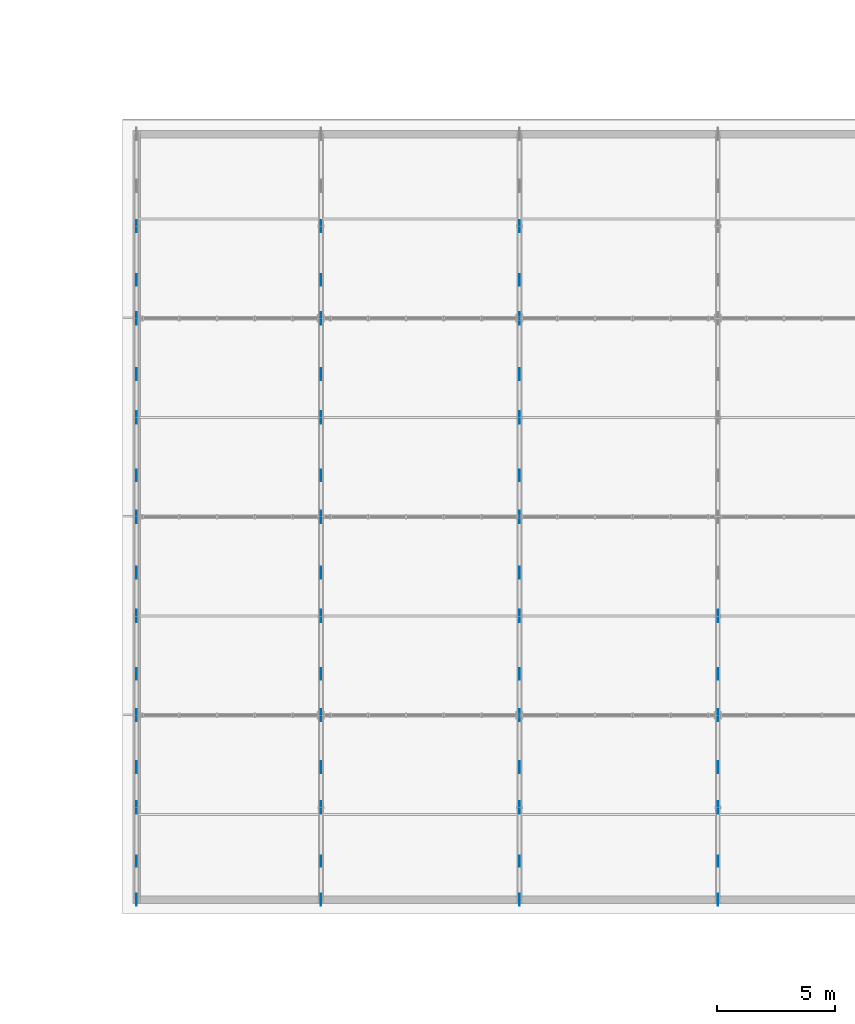
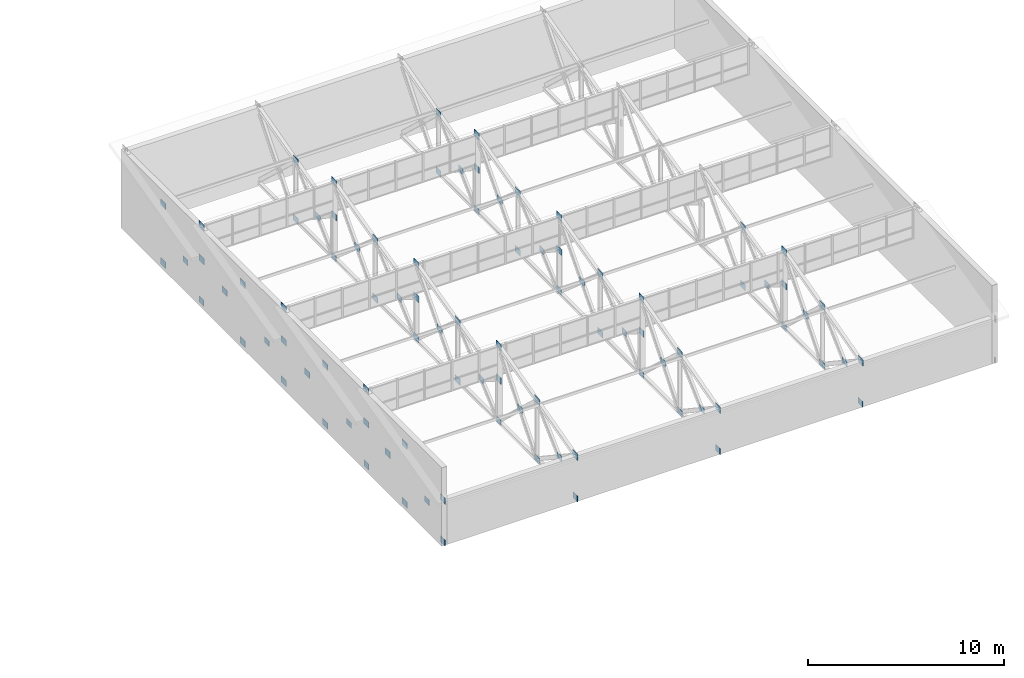
# One storey, part 97 of 123: 90 plates.
"""IFC4 building model written with IfcOpenShell, lengths in metres."""

from ifc_helpers import new_model, si_unit, direction, frame, origin, origin_2d, place, context, subcontext, project, spatial, rectangle, extrude, material, layer, layer_set, type_object, element, save


model = new_model("IFC4")

# Units and contexts
model_context = context("Model", 3, precision=1e-05, world=origin(), true_north=direction((0.0, 1.0)))
body_context = subcontext(model_context, "Body", "Model", "MODEL_VIEW")
ifc_project = project(units=[si_unit("LENGTHUNIT", "METRE"), si_unit("AREAUNIT", "SQUARE_METRE"), si_unit("VOLUMEUNIT", "CUBIC_METRE"), si_unit("PLANEANGLEUNIT", "RADIAN"), si_unit("MASSUNIT", "GRAM", prefix="KILO")], contexts=[model_context])

# Site, building, storey
site_placement = place(None, origin())
site = spatial("IfcSite", under=ifc_project, at=site_placement, CompositionType="ELEMENT")
building_placement = place(site_placement, origin())
building = spatial("IfcBuilding", under=site, at=building_placement, Name="Zayran Congress Hotel", CompositionType="ELEMENT")
storey_placement = place(building_placement, frame((0.0, 0.0, 15.0)))
storey = spatial("IfcBuildingStorey", under=building, at=storey_placement, Name="L03", CompositionType="ELEMENT", Elevation=15.0)

# Plates
ifc_material = material(Name="Steel S355", Category="steel")
ifc_layer_1 = layer(ifc_material, 0.02001953125)
ifc_layer_set_1 = layer_set([ifc_layer_1], Name="Steel S355")
plate_type_1 = type_object("IfcPlateType", Name="TP-GS-02", PredefinedType="USERDEFINED", material=ifc_layer_set_1)
for number, where, z_axis, x_axis, name in (
    (1, (151.800048828125, 9.39990234375, -0.18017578125), (0.0, 0.0, 1.0), (0.0, 1.0, 0.0), "V3 Truss Node Gusset Plate 167"),
    (2, (151.800048828125, 17.199951171875, -0.18017578125), (0.0, 0.0, 1.0), (0.0, 1.0, 0.0), "V3 Truss Node Gusset Plate 168"),
    (3, (151.800048828125, 34.0, -0.18017578125), (0.0, 0.0, 1.0), (0.0, 1.0, 0.0), "V3 Truss Node Gusset Plate 169"),
    (4, (151.800048828125, 11.023193359375, 1.337890625), (0.0, 0.0, 1.0), (0.0, 1.0, 0.0), "V3 Brace Crossing Gusset Plate 175"),
    (5, (151.800048828125, 18.947998046875, 1.337890625), (0.0, 0.0, 1.0), (0.0, 1.0, 0.0), "V3 Brace Crossing Gusset Plate 181"),
    (6, (151.800048828125, 27.347900390625, 1.337890625), (0.0, 0.0, 1.0), (0.0, 1.0, 0.0), "V3 Brace Crossing Gusset Plate 187"),
    (7, (151.800048828125, 35.623046875, 1.337890625), (0.0, 0.0, 1.0), (0.0, 1.0, 0.0), "V3 Brace Crossing Gusset Plate 193"),
    (8, (159.60009765625, 9.39990234375, -0.18017578125), (0.0, 0.0, 1.0), (0.0, 1.0, 0.0), "V3 Truss Node Gusset Plate 195"),
    (9, (159.60009765625, 17.199951171875, -0.18017578125), (0.0, 0.0, 1.0), (0.0, 1.0, 0.0), "V3 Truss Node Gusset Plate 196"),
    (10, (159.60009765625, 34.0, -0.18017578125), (0.0, 0.0, 1.0), (0.0, 1.0, 0.0), "V3 Truss Node Gusset Plate 197"),
    (11, (159.60009765625, 11.023193359375, 1.337890625), (0.0, 0.0, 1.0), (0.0, 1.0, 0.0), "V3 Brace Crossing Gusset Plate 203"),
    (12, (159.60009765625, 18.947998046875, 1.337890625), (0.0, 0.0, 1.0), (0.0, 1.0, 0.0), "V3 Brace Crossing Gusset Plate 209"),
    (13, (159.60009765625, 27.347900390625, 1.337890625), (0.0, 0.0, 1.0), (0.0, 1.0, 0.0), "V3 Brace Crossing Gusset Plate 215"),
    (14, (159.60009765625, 35.623046875, 1.337890625), (0.0, 0.0, 1.0), (0.0, 1.0, 0.0), "V3 Brace Crossing Gusset Plate 221"),
    (15, (168.0, 9.39990234375, -0.18017578125), (0.0, 0.0, 1.0), (0.0, 1.0, 0.0), "V3 Truss Node Gusset Plate 223"),
    (16, (168.0, 17.199951171875, -0.18017578125), (0.0, 0.0, 1.0), (0.0, 1.0, 0.0), "V3 Truss Node Gusset Plate 224"),
    (17, (168.0, 34.0, -0.18017578125), (0.0, 0.0, 1.0), (0.0, 1.0, 0.0), "V3 Truss Node Gusset Plate 225"),
    (18, (168.0, 11.023193359375, 1.337890625), (0.0, 0.0, 1.0), (0.0, 1.0, 0.0), "V3 Brace Crossing Gusset Plate 231"),
    (19, (168.0, 18.947998046875, 1.337890625), (0.0, 0.0, 1.0), (0.0, 1.0, 0.0), "V3 Brace Crossing Gusset Plate 237"),
    (20, (168.0, 27.347900390625, 1.337890625), (0.0, 0.0, 1.0), (0.0, 1.0, 0.0), "V3 Brace Crossing Gusset Plate 243"),
    (21, (168.0, 35.623046875, 1.337890625), (0.0, 0.0, 1.0), (0.0, 1.0, 0.0), "V3 Brace Crossing Gusset Plate 249"),
    (22, (168.0, 25.60009765625, -0.080078125), (0.0, 0.0, 1.0), (0.0, 1.0, 0.0), "PLT-GS-V3-168"),
    (23, (176.39990234375, 9.39990234375, -0.18017578125), (0.0, 0.0, 1.0), (0.0, 1.0, 0.0), "V3 Truss Node Gusset Plate 251"),
    (24, (176.39990234375, 17.199951171875, -0.18017578125), (0.0, 0.0, 1.0), (0.0, 1.0, 0.0), "V3 Truss Node Gusset Plate 252"),
    (25, (176.39990234375, 11.023193359375, 1.337890625), (0.0, 0.0, 1.0), (0.0, 1.0, 0.0), "V3 Brace Crossing Gusset Plate 259"),
    (26, (176.39990234375, 18.947998046875, 1.337890625), (0.0, 0.0, 1.0), (0.0, 1.0, 0.0), "V3 Brace Crossing Gusset Plate 265"),
):
    element("IfcPlate", number, at=place(storey_placement, frame(where, z_axis=z_axis, x_axis=x_axis)), inside=storey, type_object=plate_type_1, Name=name, ObjectType="GUSSET_PLATE", PredefinedType="USERDEFINED", context=body_context, shape_type="SweptSolid", body=[
        extrude(rectangle(XDim=0.47998046875, YDim=0.02001953125, at=origin_2d()), origin(), (0.0, 0.0, 1.0), 0.360107421875),
    ])
ifc_layer_2 = layer(ifc_material, 0.02197265625)
ifc_layer_set_2 = layer_set([ifc_layer_2], Name="Steel S355")
plate_type_2 = type_object("IfcPlateType", Name="TP-GS-04", PredefinedType="USERDEFINED", material=ifc_layer_set_2)
for number, where, z_axis, x_axis, name in (
    (27, (151.800048828125, 9.39990234375, 2.41015625), (0.0, 0.0, 1.0), (0.0, 1.0, 0.0), "V3 Truss Node Gusset Plate 171"),
    (28, (151.800048828125, 13.300048828125, -0.18994140625), (0.0, 0.0, 1.0), (0.0, 1.0, 0.0), "V3 Truss Node Gusset Plate 172"),
    (29, (151.800048828125, 13.300048828125, 3.457275390625), (0.0, 0.0, 1.0), (0.0, 1.0, 0.0), "V3 Truss Node Gusset Plate 173"),
    (30, (151.800048828125, 17.199951171875, 4.50439453125), (0.0, 0.0, 1.0), (0.0, 1.0, 0.0), "V3 Truss Node Gusset Plate 174"),
    (31, (151.800048828125, 15.005126953125, 1.862548828125), (0.0, 0.0, 1.0), (0.0, 1.0, 0.0), "V3 Brace Crossing Gusset Plate 176"),
    (32, (151.800048828125, 17.199951171875, 2.41015625), (0.0, 0.0, 1.0), (0.0, 1.0, 0.0), "V3 Truss Node Gusset Plate 177"),
    (33, (151.800048828125, 21.39990234375, -0.18994140625), (0.0, 0.0, 1.0), (0.0, 1.0, 0.0), "V3 Truss Node Gusset Plate 178"),
    (34, (151.800048828125, 21.39990234375, 3.457275390625), (0.0, 0.0, 1.0), (0.0, 1.0, 0.0), "V3 Truss Node Gusset Plate 179"),
    (35, (151.800048828125, 25.60009765625, 4.50439453125), (0.0, 0.0, 1.0), (0.0, 1.0, 0.0), "V3 Truss Node Gusset Plate 180"),
    (36, (151.800048828125, 23.236328125, 1.862548828125), (0.0, 0.0, 1.0), (0.0, 1.0, 0.0), "V3 Brace Crossing Gusset Plate 182"),
    (37, (151.800048828125, 25.60009765625, 2.41015625), (0.0, 0.0, 1.0), (0.0, 1.0, 0.0), "V3 Truss Node Gusset Plate 183"),
    (38, (151.800048828125, 29.800048828125, -0.18994140625), (0.0, 0.0, 1.0), (0.0, 1.0, 0.0), "V3 Truss Node Gusset Plate 184"),
    (39, (151.800048828125, 29.800048828125, 3.457275390625), (0.0, 0.0, 1.0), (0.0, 1.0, 0.0), "V3 Truss Node Gusset Plate 185"),
    (40, (151.800048828125, 34.0, 4.50439453125), (0.0, 0.0, 1.0), (0.0, 1.0, 0.0), "V3 Truss Node Gusset Plate 186"),
    (41, (151.800048828125, 31.636474609375, 1.862548828125), (0.0, 0.0, 1.0), (0.0, 1.0, 0.0), "V3 Brace Crossing Gusset Plate 188"),
    (42, (151.800048828125, 34.0, 2.41015625), (0.0, 0.0, 1.0), (0.0, 1.0, 0.0), "V3 Truss Node Gusset Plate 189"),
    (43, (151.800048828125, 37.89990234375, -0.18994140625), (0.0, 0.0, 1.0), (0.0, 1.0, 0.0), "V3 Truss Node Gusset Plate 190"),
    (44, (151.800048828125, 37.89990234375, 3.457275390625), (0.0, 0.0, 1.0), (0.0, 1.0, 0.0), "V3 Truss Node Gusset Plate 191"),
    (45, (151.800048828125, 25.60009765625, -0.08984375), (0.0, 0.0, 1.0), (0.0, 1.0, 0.0), "PLT-GS-V3-151"),
    (46, (159.60009765625, 9.39990234375, 2.41015625), (0.0, 0.0, 1.0), (0.0, 1.0, 0.0), "V3 Truss Node Gusset Plate 199"),
    (47, (159.60009765625, 13.300048828125, -0.18994140625), (0.0, 0.0, 1.0), (0.0, 1.0, 0.0), "V3 Truss Node Gusset Plate 200"),
    (48, (159.60009765625, 13.300048828125, 3.457275390625), (0.0, 0.0, 1.0), (0.0, 1.0, 0.0), "V3 Truss Node Gusset Plate 201"),
    (49, (159.60009765625, 17.199951171875, 4.50439453125), (0.0, 0.0, 1.0), (0.0, 1.0, 0.0), "V3 Truss Node Gusset Plate 202"),
    (50, (159.60009765625, 15.005126953125, 1.862548828125), (0.0, 0.0, 1.0), (0.0, 1.0, 0.0), "V3 Brace Crossing Gusset Plate 204"),
    (51, (159.60009765625, 17.199951171875, 2.41015625), (0.0, 0.0, 1.0), (0.0, 1.0, 0.0), "V3 Truss Node Gusset Plate 205"),
    (52, (159.60009765625, 21.39990234375, -0.18994140625), (0.0, 0.0, 1.0), (0.0, 1.0, 0.0), "V3 Truss Node Gusset Plate 206"),
    (53, (159.60009765625, 21.39990234375, 3.457275390625), (0.0, 0.0, 1.0), (0.0, 1.0, 0.0), "V3 Truss Node Gusset Plate 207"),
    (54, (159.60009765625, 25.60009765625, 4.50439453125), (0.0, 0.0, 1.0), (0.0, 1.0, 0.0), "V3 Truss Node Gusset Plate 208"),
    (55, (159.60009765625, 23.236328125, 1.862548828125), (0.0, 0.0, 1.0), (0.0, 1.0, 0.0), "V3 Brace Crossing Gusset Plate 210"),
    (56, (159.60009765625, 25.60009765625, 2.41015625), (0.0, 0.0, 1.0), (0.0, 1.0, 0.0), "V3 Truss Node Gusset Plate 211"),
    (57, (159.60009765625, 29.800048828125, -0.18994140625), (0.0, 0.0, 1.0), (0.0, 1.0, 0.0), "V3 Truss Node Gusset Plate 212"),
    (58, (159.60009765625, 29.800048828125, 3.457275390625), (0.0, 0.0, 1.0), (0.0, 1.0, 0.0), "V3 Truss Node Gusset Plate 213"),
    (59, (159.60009765625, 34.0, 4.50439453125), (0.0, 0.0, 1.0), (0.0, 1.0, 0.0), "V3 Truss Node Gusset Plate 214"),
    (60, (159.60009765625, 31.636474609375, 1.862548828125), (0.0, 0.0, 1.0), (0.0, 1.0, 0.0), "V3 Brace Crossing Gusset Plate 216"),
    (61, (159.60009765625, 34.0, 2.41015625), (0.0, 0.0, 1.0), (0.0, 1.0, 0.0), "V3 Truss Node Gusset Plate 217"),
    (62, (159.60009765625, 37.89990234375, -0.18994140625), (0.0, 0.0, 1.0), (0.0, 1.0, 0.0), "V3 Truss Node Gusset Plate 218"),
    (63, (159.60009765625, 37.89990234375, 3.457275390625), (0.0, 0.0, 1.0), (0.0, 1.0, 0.0), "V3 Truss Node Gusset Plate 219"),
    (64, (159.60009765625, 25.60009765625, -0.08984375), (0.0, 0.0, 1.0), (0.0, 1.0, 0.0), "PLT-GS-V3-159"),
    (65, (168.0, 9.39990234375, 2.41015625), (0.0, 0.0, 1.0), (0.0, 1.0, 0.0), "V3 Truss Node Gusset Plate 227"),
    (66, (168.0, 13.300048828125, -0.18994140625), (0.0, 0.0, 1.0), (0.0, 1.0, 0.0), "V3 Truss Node Gusset Plate 228"),
    (67, (168.0, 13.300048828125, 3.457275390625), (0.0, 0.0, 1.0), (0.0, 1.0, 0.0), "V3 Truss Node Gusset Plate 229"),
    (68, (168.0, 17.199951171875, 4.50439453125), (0.0, 0.0, 1.0), (0.0, 1.0, 0.0), "V3 Truss Node Gusset Plate 230"),
    (69, (168.0, 15.005126953125, 1.862548828125), (0.0, 0.0, 1.0), (0.0, 1.0, 0.0), "V3 Brace Crossing Gusset Plate 232"),
    (70, (168.0, 17.199951171875, 2.41015625), (0.0, 0.0, 1.0), (0.0, 1.0, 0.0), "V3 Truss Node Gusset Plate 233"),
    (71, (168.0, 21.39990234375, -0.18994140625), (0.0, 0.0, 1.0), (0.0, 1.0, 0.0), "V3 Truss Node Gusset Plate 234"),
    (72, (168.0, 21.39990234375, 3.457275390625), (0.0, 0.0, 1.0), (0.0, 1.0, 0.0), "V3 Truss Node Gusset Plate 235"),
    (73, (168.0, 25.60009765625, 4.50439453125), (0.0, 0.0, 1.0), (0.0, 1.0, 0.0), "V3 Truss Node Gusset Plate 236"),
    (74, (168.0, 23.236328125, 1.862548828125), (0.0, 0.0, 1.0), (0.0, 1.0, 0.0), "V3 Brace Crossing Gusset Plate 238"),
    (75, (168.0, 25.60009765625, 2.41015625), (0.0, 0.0, 1.0), (0.0, 1.0, 0.0), "V3 Truss Node Gusset Plate 239"),
    (76, (168.0, 29.800048828125, -0.18994140625), (0.0, 0.0, 1.0), (0.0, 1.0, 0.0), "V3 Truss Node Gusset Plate 240"),
    (77, (168.0, 29.800048828125, 3.457275390625), (0.0, 0.0, 1.0), (0.0, 1.0, 0.0), "V3 Truss Node Gusset Plate 241"),
    (78, (168.0, 34.0, 4.50439453125), (0.0, 0.0, 1.0), (0.0, 1.0, 0.0), "V3 Truss Node Gusset Plate 242"),
    (79, (168.0, 31.636474609375, 1.862548828125), (0.0, 0.0, 1.0), (0.0, 1.0, 0.0), "V3 Brace Crossing Gusset Plate 244"),
    (80, (168.0, 34.0, 2.41015625), (0.0, 0.0, 1.0), (0.0, 1.0, 0.0), "V3 Truss Node Gusset Plate 245"),
    (81, (168.0, 37.89990234375, -0.18994140625), (0.0, 0.0, 1.0), (0.0, 1.0, 0.0), "V3 Truss Node Gusset Plate 246"),
    (82, (168.0, 37.89990234375, 3.457275390625), (0.0, 0.0, 1.0), (0.0, 1.0, 0.0), "V3 Truss Node Gusset Plate 247"),
    (83, (176.39990234375, 9.39990234375, 2.41015625), (0.0, 0.0, 1.0), (0.0, 1.0, 0.0), "V3 Truss Node Gusset Plate 255"),
    (84, (176.39990234375, 13.300048828125, -0.18994140625), (0.0, 0.0, 1.0), (0.0, 1.0, 0.0), "V3 Truss Node Gusset Plate 256"),
    (85, (176.39990234375, 13.300048828125, 3.457275390625), (0.0, 0.0, 1.0), (0.0, 1.0, 0.0), "V3 Truss Node Gusset Plate 257"),
    (86, (176.39990234375, 17.199951171875, 4.50439453125), (0.0, 0.0, 1.0), (0.0, 1.0, 0.0), "V3 Truss Node Gusset Plate 258"),
    (87, (176.39990234375, 15.005126953125, 1.862548828125), (0.0, 0.0, 1.0), (0.0, 1.0, 0.0), "V3 Brace Crossing Gusset Plate 260"),
    (88, (176.39990234375, 17.199951171875, 2.41015625), (0.0, 0.0, 1.0), (0.0, 1.0, 0.0), "V3 Truss Node Gusset Plate 261"),
    (89, (176.39990234375, 21.39990234375, -0.18994140625), (0.0, 0.0, 1.0), (0.0, 1.0, 0.0), "V3 Truss Node Gusset Plate 262"),
    (90, (176.39990234375, 21.39990234375, 3.457275390625), (0.0, 0.0, 1.0), (0.0, 1.0, 0.0), "V3 Truss Node Gusset Plate 263"),
):
    element("IfcPlate", number, at=place(storey_placement, frame(where, z_axis=z_axis, x_axis=x_axis)), inside=storey, type_object=plate_type_2, Name=name, ObjectType="GUSSET_PLATE", PredefinedType="USERDEFINED", context=body_context, shape_type="SweptSolid", body=[
        extrude(rectangle(XDim=0.52001953125, YDim=0.02197265625, at=origin_2d()), origin(), (0.0, 0.0, 1.0), 0.3798828125),
    ])

save(model, "model.ifc")
